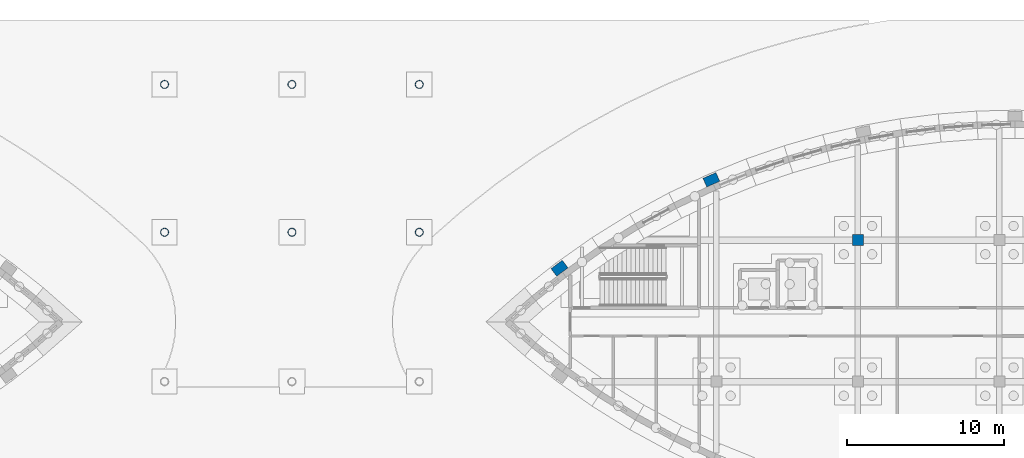
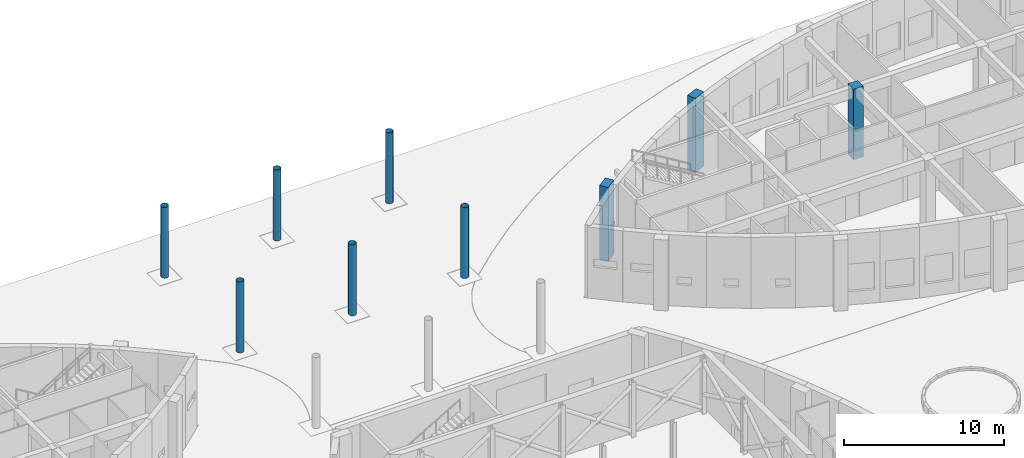
# One storey, part 16 of 82: 9 columns.
"""IFC4 building model written with IfcOpenShell, lengths in metres."""

from ifc_helpers import new_model, si_unit, direction, frame, origin, origin_2d, place, context, subcontext, project, spatial, rectangle, hollow_circle, extrude, material, material_profile, profile_set, type_object, element, save


model = new_model("IFC4")

# Units and contexts
model_context = context("Model", 3, precision=1e-05, world=origin(), true_north=direction((0.0, 1.0)))
body_context = subcontext(model_context, "Body", "Model", "MODEL_VIEW")
ifc_project = project(units=[si_unit("LENGTHUNIT", "METRE"), si_unit("AREAUNIT", "SQUARE_METRE"), si_unit("VOLUMEUNIT", "CUBIC_METRE"), si_unit("PLANEANGLEUNIT", "RADIAN"), si_unit("MASSUNIT", "GRAM", prefix="KILO")], contexts=[model_context])

# Site, building, storey
site_placement = place(None, origin())
site = spatial("IfcSite", under=ifc_project, at=site_placement, CompositionType="ELEMENT")
building_placement = place(site_placement, origin())
building = spatial("IfcBuilding", under=site, at=building_placement, Name="Tide Square Theatres", CompositionType="ELEMENT")
storey_placement = place(building_placement, origin())
storey = spatial("IfcBuildingStorey", under=building, at=storey_placement, Name="L00", CompositionType="ELEMENT", Elevation=0.0)

# Columns
ifc_material_1 = material(Name="Concrete C40", Category="concrete")
ifc_material_profile_1 = material_profile(ifc_material_1, rectangle(XDim=0.699951171875, YDim=0.699951171875, at=origin_2d()))
ifc_profile_set_1 = profile_set([ifc_material_profile_1], Name="Concrete C40")
column_type_1 = type_object("IfcColumnType", Name="RC column 700 x 700", PredefinedType="COLUMN", material=ifc_profile_set_1)
column_placement = place(storey_placement, frame((120.0, 103.0, -0.25), z_axis=(0.0, 0.0, 1.0), x_axis=(1.0, 0.0, 0.0)))
element("IfcColumn", 1, at=column_placement, inside=storey, type_object=column_type_1, Name="Rehearsal Block frame column 3", PredefinedType="COLUMN", context=body_context, shape_type="SweptSolid", body=[
    extrude(rectangle(XDim=0.699951171875, YDim=0.699951171875, at=origin_2d()), origin(), (0.0, 0.0, 1.0), 5.3701171875),
])
ifc_material_2 = material(Name="Concrete C40", Category="concrete")
ifc_material_profile_2 = material_profile(ifc_material_2, rectangle(XDim=0.89990234375, YDim=0.60009765625, at=origin_2d()))
ifc_profile_set_2 = profile_set([ifc_material_profile_2], Name="Concrete C40")
column_type_2 = type_object("IfcColumnType", Name="RC pier 900 x 600", PredefinedType="PILASTER", material=ifc_profile_set_2)
for number, where, z_axis, x_axis, name in (
    (2, (101.02099609375, 101.20947265625, -0.25), (0.0, 0.0, 1.0), (-0.80192785119, -0.597420891403, 0.0), "Rehearsal Block rib pier 8"),
    (3, (110.678955078125, 106.8359375, -0.25), (0.0, 0.0, 1.0), (-0.915419314521, -0.402501526211, 0.0), "Rehearsal Block rib pier 9"),
):
    element("IfcColumn", number, at=place(storey_placement, frame(where, z_axis=z_axis, x_axis=x_axis)), inside=storey, type_object=column_type_2, Name=name, PredefinedType="PILASTER", context=body_context, shape_type="SweptSolid", body=[
        extrude(rectangle(XDim=0.89990234375, YDim=0.60009765625, at=origin_2d()), origin(), (0.0, 0.0, 1.0), 5.64990234375),
    ])
ifc_material_3 = material(Name="Steel ASTM A500 Grade C", Category="steel")
ifc_material_profile_3 = material_profile(ifc_material_3, hollow_circle(Radius=0.25390625, WallThickness=0.012451171875, at=origin_2d()))
ifc_profile_set_3 = profile_set([ifc_material_profile_3], Name="Steel ASTM A500 Grade C")
column_type_3 = type_object("IfcColumnType", Name="Steel column CHS 508.0 x 12.5", PredefinedType="COLUMN", material=ifc_profile_set_3)
for number, where, z_axis, x_axis, name in (
    (4, (75.89990234375, 103.5, 0.0), (0.0, 0.0, 1.0), (1.0, 0.0, 0.0), "Scenery dock canopy column"),
    (5, (84.0, 103.5, 0.0), (0.0, 0.0, 1.0), (1.0, 0.0, 0.0), "Scenery dock canopy column"),
    (6, (92.10009765625, 103.5, 0.0), (0.0, 0.0, 1.0), (1.0, 0.0, 0.0), "Scenery dock canopy column"),
    (7, (75.89990234375, 112.89990234375, 0.0), (0.0, 0.0, 1.0), (1.0, 0.0, 0.0), "Scenery dock canopy column"),
    (8, (84.0, 112.89990234375, 0.0), (0.0, 0.0, 1.0), (1.0, 0.0, 0.0), "Scenery dock canopy column"),
    (9, (92.10009765625, 112.89990234375, 0.0), (0.0, 0.0, 1.0), (1.0, 0.0, 0.0), "Scenery dock canopy column"),
):
    element("IfcColumn", number, at=place(storey_placement, frame(where, z_axis=z_axis, x_axis=x_axis)), inside=storey, type_object=column_type_3, Name=name, PredefinedType="COLUMN", context=body_context, shape_type="SweptSolid", body=[
        extrude(hollow_circle(Radius=0.25390625, WallThickness=0.012451171875, at=origin_2d()), origin(), (0.0, 0.0, 1.0), 5.39990234375),
    ])

save(model, "model.ifc")
